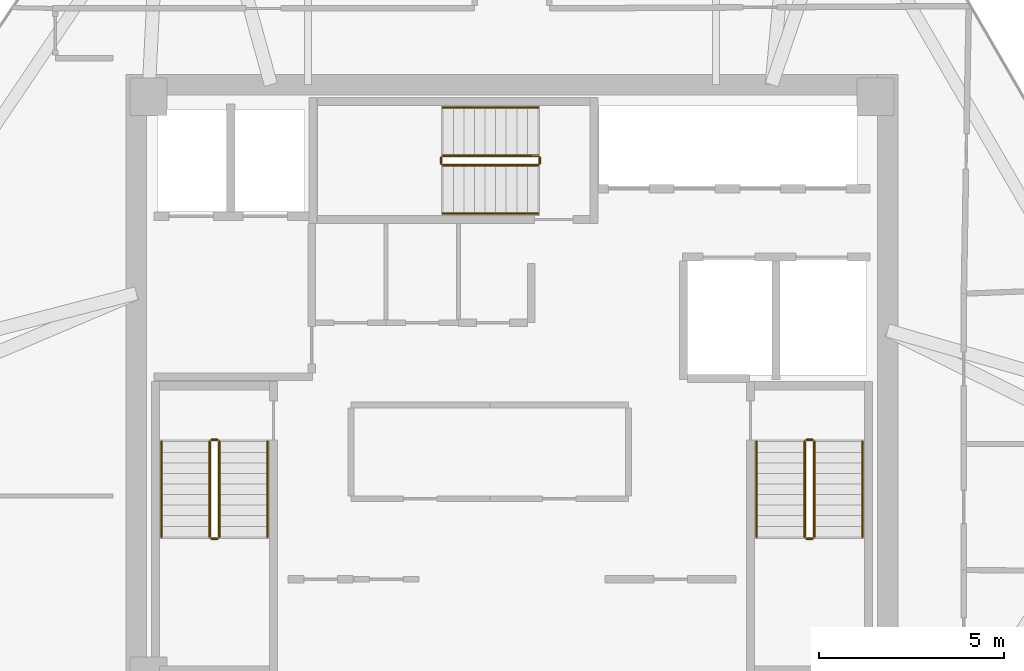
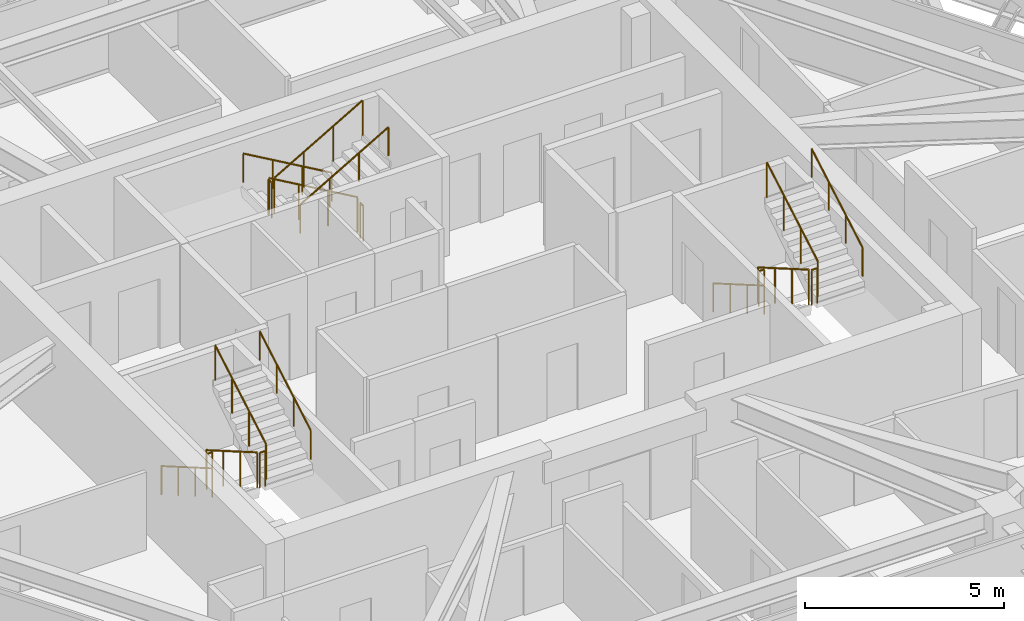
# One storey, part 11 of 11: 18 railings.
"""IFC4 building model written with IfcOpenShell, lengths in metres."""

from ifc_helpers import new_model, si_unit, direction, frame, origin, origin_2d, place, context, subcontext, project, spatial, circle, extrude, material, type_object, element, save


model = new_model("IFC4")

# Units and contexts
model_context = context("Model", 3, precision=1e-05, world=origin(), true_north=direction((0.0, 1.0)))
body_context = subcontext(model_context, "Body", "Model", "MODEL_VIEW")
ifc_project = project(units=[si_unit("LENGTHUNIT", "METRE"), si_unit("AREAUNIT", "SQUARE_METRE"), si_unit("VOLUMEUNIT", "CUBIC_METRE"), si_unit("PLANEANGLEUNIT", "RADIAN"), si_unit("MASSUNIT", "GRAM", prefix="KILO")], contexts=[model_context])

# Site, building, storey
site_placement = place(None, origin())
site = spatial("IfcSite", under=ifc_project, at=site_placement, CompositionType="ELEMENT")
building_placement = place(site_placement, origin())
building = spatial("IfcBuilding", under=site, at=building_placement, Name="Durnholm Broadcast Tower", CompositionType="ELEMENT")
storey_placement = place(building_placement, frame((0.0, 0.0, 244.699951171875)))
storey = spatial("IfcBuildingStorey", under=building, at=storey_placement, Name="L68", CompositionType="ELEMENT", Elevation=244.699951171875)

# Railings
ifc_material_1 = material(Name="Painted Tubular Steel Stair Guardrail", Category="steel")
railing_type_1 = type_object("IfcRailingType", Name="RAIL-ST-GRD", PredefinedType="GUARDRAIL", material=ifc_material_1)
railing_1_placement = place(storey_placement, frame((-8.14990234375, -1.5, 0.1650390625)))
element("IfcRailing", 1, at=railing_1_placement, inside=storey, type_object=railing_type_1, Name="L68 ST-1 stair guard 1", PredefinedType="GUARDRAIL", context=body_context, shape_type="SweptSolid", body=[
    extrude(circle(Radius=0.02392578125, at=origin_2d()), frame((0.0, 0.0, 1.076171875), z_axis=(0.0, -0.865405606168, 0.501071987656), x_axis=(1.0, 0.0, 0.0)), (0.0, 0.0, 1.0), 2.9638671875),
    extrude(circle(Radius=0.02099609375, at=origin_2d()), origin(), (0.0, 0.0, 1.0), 1.052001953125),
    extrude(circle(Radius=0.02099609375, at=origin_2d()), frame((0.0, -0.85498046875, 0.4951171875)), (0.0, 0.0, 1.0), 1.052001953125),
    extrude(circle(Radius=0.02099609375, at=origin_2d()), frame((0.0, -1.7099609375, 0.989990234375)), (0.0, 0.0, 1.0), 1.052001953125),
    extrude(circle(Radius=0.02099609375, at=origin_2d()), frame((0.0, -2.56494140625, 1.485107421875)), (0.0, 0.0, 1.0), 1.052001953125),
])
railing_2_placement = place(storey_placement, frame((-8.10009765625, -4.114990234375, 1.650146484375)))
element("IfcRailing", 2, at=railing_2_placement, inside=storey, type_object=railing_type_1, Name="L68 ST-1 stair guard 2", PredefinedType="GUARDRAIL", context=body_context, shape_type="SweptSolid", body=[
    extrude(circle(Radius=0.02392578125, at=origin_2d()), frame((0.0, 0.0, 1.076171875), z_axis=(1.0, 0.0, 0.0), x_axis=(0.0, 1.0, 0.0)), (0.0, 0.0, 1.0), 0.16015625),
    extrude(circle(Radius=0.02099609375, at=origin_2d()), origin(), (0.0, 0.0, 1.0), 1.052001953125),
    extrude(circle(Radius=0.02099609375, at=origin_2d()), frame((0.16015625, 0.0, 0.0)), (0.0, 0.0, 1.0), 1.052001953125),
])
railing_3_placement = place(storey_placement, frame((-7.889892578125, -4.06494140625, 1.81494140625)))
element("IfcRailing", 3, at=railing_3_placement, inside=storey, type_object=railing_type_1, Name="L68 ST-1 stair guard 3", PredefinedType="GUARDRAIL", context=body_context, shape_type="SweptSolid", body=[
    extrude(circle(Radius=0.02392578125, at=origin_2d()), frame((0.0, 0.0, 1.076171875), z_axis=(0.0, 0.865405606168, 0.501071987656), x_axis=(-1.0, 0.0, 0.0)), (0.0, 0.0, 1.0), 2.9638671875),
    extrude(circle(Radius=0.02099609375, at=origin_2d()), origin(), (0.0, 0.0, 1.0), 1.052001953125),
    extrude(circle(Radius=0.02099609375, at=origin_2d()), frame((0.0, 0.85498046875, 0.4951171875)), (0.0, 0.0, 1.0), 1.052001953125),
    extrude(circle(Radius=0.02099609375, at=origin_2d()), frame((0.0, 1.7099609375, 0.989990234375)), (0.0, 0.0, 1.0), 1.052001953125),
    extrude(circle(Radius=0.02099609375, at=origin_2d()), frame((0.0, 2.56494140625, 1.485107421875)), (0.0, 0.0, 1.0), 1.052001953125),
])
railing_4_placement = place(storey_placement, frame((-8.10009765625, -1.449951171875, 0.0)))
element("IfcRailing", 4, at=railing_4_placement, inside=storey, type_object=railing_type_1, Name="L68 ST-1 stair guard 4", PredefinedType="GUARDRAIL", context=body_context, shape_type="SweptSolid", body=[
    extrude(circle(Radius=0.02392578125, at=origin_2d()), frame((0.0, 0.0, 1.076171875), z_axis=(1.0, 0.0, 0.0), x_axis=(0.0, 1.0, 0.0)), (0.0, 0.0, 1.0), 0.16015625),
    extrude(circle(Radius=0.02099609375, at=origin_2d()), origin(), (0.0, 0.0, 1.0), 1.052001953125),
    extrude(circle(Radius=0.02099609375, at=origin_2d()), frame((0.16015625, 0.0, 0.0)), (0.0, 0.0, 1.0), 1.052001953125),
])
railing_5_placement = place(storey_placement, frame((7.889892578125, -1.5, 0.1650390625)))
element("IfcRailing", 5, at=railing_5_placement, inside=storey, type_object=railing_type_1, Name="L68 ST-2 stair guard 1", PredefinedType="GUARDRAIL", context=body_context, shape_type="SweptSolid", body=[
    extrude(circle(Radius=0.02392578125, at=origin_2d()), frame((0.0, 0.0, 1.076171875), z_axis=(0.0, -0.865405606168, 0.501071987656), x_axis=(1.0, 0.0, 0.0)), (0.0, 0.0, 1.0), 2.9638671875),
    extrude(circle(Radius=0.02099609375, at=origin_2d()), origin(), (0.0, 0.0, 1.0), 1.052001953125),
    extrude(circle(Radius=0.02099609375, at=origin_2d()), frame((0.0, -0.85498046875, 0.4951171875)), (0.0, 0.0, 1.0), 1.052001953125),
    extrude(circle(Radius=0.02099609375, at=origin_2d()), frame((0.0, -1.7099609375, 0.989990234375)), (0.0, 0.0, 1.0), 1.052001953125),
    extrude(circle(Radius=0.02099609375, at=origin_2d()), frame((0.0, -2.56494140625, 1.485107421875)), (0.0, 0.0, 1.0), 1.052001953125),
])
railing_6_placement = place(storey_placement, frame((7.93994140625, -4.114990234375, 1.650146484375)))
element("IfcRailing", 6, at=railing_6_placement, inside=storey, type_object=railing_type_1, Name="L68 ST-2 stair guard 2", PredefinedType="GUARDRAIL", context=body_context, shape_type="SweptSolid", body=[
    extrude(circle(Radius=0.02392578125, at=origin_2d()), frame((0.0, 0.0, 1.076171875), z_axis=(1.0, 0.0, 0.0), x_axis=(0.0, 1.0, 0.0)), (0.0, 0.0, 1.0), 0.16015625),
    extrude(circle(Radius=0.02099609375, at=origin_2d()), origin(), (0.0, 0.0, 1.0), 1.052001953125),
    extrude(circle(Radius=0.02099609375, at=origin_2d()), frame((0.16015625, 0.0, 0.0)), (0.0, 0.0, 1.0), 1.052001953125),
])
railing_7_placement = place(storey_placement, frame((8.14990234375, -4.06494140625, 1.81494140625)))
element("IfcRailing", 7, at=railing_7_placement, inside=storey, type_object=railing_type_1, Name="L68 ST-2 stair guard 3", PredefinedType="GUARDRAIL", context=body_context, shape_type="SweptSolid", body=[
    extrude(circle(Radius=0.02392578125, at=origin_2d()), frame((0.0, 0.0, 1.076171875), z_axis=(0.0, 0.865405606168, 0.501071987656), x_axis=(-1.0, 0.0, 0.0)), (0.0, 0.0, 1.0), 2.9638671875),
    extrude(circle(Radius=0.02099609375, at=origin_2d()), origin(), (0.0, 0.0, 1.0), 1.052001953125),
    extrude(circle(Radius=0.02099609375, at=origin_2d()), frame((0.0, 0.85498046875, 0.4951171875)), (0.0, 0.0, 1.0), 1.052001953125),
    extrude(circle(Radius=0.02099609375, at=origin_2d()), frame((0.0, 1.7099609375, 0.989990234375)), (0.0, 0.0, 1.0), 1.052001953125),
    extrude(circle(Radius=0.02099609375, at=origin_2d()), frame((0.0, 2.56494140625, 1.485107421875)), (0.0, 0.0, 1.0), 1.052001953125),
])
railing_8_placement = place(storey_placement, frame((7.93994140625, -1.449951171875, 0.0)))
element("IfcRailing", 8, at=railing_8_placement, inside=storey, type_object=railing_type_1, Name="L68 ST-2 stair guard 4", PredefinedType="GUARDRAIL", context=body_context, shape_type="SweptSolid", body=[
    extrude(circle(Radius=0.02392578125, at=origin_2d()), frame((0.0, 0.0, 1.076171875), z_axis=(1.0, 0.0, 0.0), x_axis=(0.0, 1.0, 0.0)), (0.0, 0.0, 1.0), 0.16015625),
    extrude(circle(Radius=0.02099609375, at=origin_2d()), origin(), (0.0, 0.0, 1.0), 1.052001953125),
    extrude(circle(Radius=0.02099609375, at=origin_2d()), frame((0.16015625, 0.0, 0.0)), (0.0, 0.0, 1.0), 1.052001953125),
])
railing_9_placement = place(storey_placement, frame((0.699951171875, 6.2099609375, 0.1650390625)))
element("IfcRailing", 9, at=railing_9_placement, inside=storey, type_object=railing_type_1, Name="L68 ST-3 stair guard 1", PredefinedType="GUARDRAIL", context=body_context, shape_type="SweptSolid", body=[
    extrude(circle(Radius=0.02392578125, at=origin_2d()), frame((0.0, 0.0, 1.076171875), z_axis=(-0.865405606168, 0.0, 0.501071987656), x_axis=(0.0, -1.0, 0.0)), (0.0, 0.0, 1.0), 2.9638671875),
    extrude(circle(Radius=0.02099609375, at=origin_2d()), origin(), (0.0, 0.0, 1.0), 1.052001953125),
    extrude(circle(Radius=0.02099609375, at=origin_2d()), frame((-0.85498046875, 0.0, 0.4951171875)), (0.0, 0.0, 1.0), 1.052001953125),
    extrude(circle(Radius=0.02099609375, at=origin_2d()), frame((-1.7099609375, 0.0, 0.989990234375)), (0.0, 0.0, 1.0), 1.052001953125),
    extrude(circle(Radius=0.02099609375, at=origin_2d()), frame((-2.56494140625, 0.0, 1.485107421875)), (0.0, 0.0, 1.0), 1.052001953125),
])
railing_10_placement = place(storey_placement, frame((-1.9150390625, 6.159912109375, 1.650146484375)))
element("IfcRailing", 10, at=railing_10_placement, inside=storey, type_object=railing_type_1, Name="L68 ST-3 stair guard 2", PredefinedType="GUARDRAIL", context=body_context, shape_type="SweptSolid", body=[
    extrude(circle(Radius=0.02392578125, at=origin_2d()), frame((0.0, 0.0, 1.076171875), z_axis=(0.0, -1.0, 0.0), x_axis=(1.0, 0.0, 0.0)), (0.0, 0.0, 1.0), 0.159912109375),
    extrude(circle(Radius=0.02099609375, at=origin_2d()), origin(), (0.0, 0.0, 1.0), 1.052001953125),
    extrude(circle(Radius=0.02099609375, at=origin_2d()), frame((0.0, -0.159912109375, 0.0)), (0.0, 0.0, 1.0), 1.052001953125),
])
railing_11_placement = place(storey_placement, frame((-1.864990234375, 5.949951171875, 1.81494140625)))
element("IfcRailing", 11, at=railing_11_placement, inside=storey, type_object=railing_type_1, Name="L68 ST-3 stair guard 3", PredefinedType="GUARDRAIL", context=body_context, shape_type="SweptSolid", body=[
    extrude(circle(Radius=0.02392578125, at=origin_2d()), frame((0.0, 0.0, 1.076171875), z_axis=(0.865405606168, 0.0, 0.501071987656), x_axis=(0.0, 1.0, 0.0)), (0.0, 0.0, 1.0), 2.9638671875),
    extrude(circle(Radius=0.02099609375, at=origin_2d()), origin(), (0.0, 0.0, 1.0), 1.052001953125),
    extrude(circle(Radius=0.02099609375, at=origin_2d()), frame((0.85498046875, 0.0, 0.4951171875)), (0.0, 0.0, 1.0), 1.052001953125),
    extrude(circle(Radius=0.02099609375, at=origin_2d()), frame((1.7099609375, 0.0, 0.989990234375)), (0.0, 0.0, 1.0), 1.052001953125),
    extrude(circle(Radius=0.02099609375, at=origin_2d()), frame((2.56494140625, 0.0, 1.485107421875)), (0.0, 0.0, 1.0), 1.052001953125),
])
railing_12_placement = place(storey_placement, frame((0.75, 6.159912109375, 0.0)))
element("IfcRailing", 12, at=railing_12_placement, inside=storey, type_object=railing_type_1, Name="L68 ST-3 stair guard 4", PredefinedType="GUARDRAIL", context=body_context, shape_type="SweptSolid", body=[
    extrude(circle(Radius=0.02392578125, at=origin_2d()), frame((0.0, 0.0, 1.076171875), z_axis=(0.0, -1.0, 0.0), x_axis=(1.0, 0.0, 0.0)), (0.0, 0.0, 1.0), 0.159912109375),
    extrude(circle(Radius=0.02099609375, at=origin_2d()), origin(), (0.0, 0.0, 1.0), 1.052001953125),
    extrude(circle(Radius=0.02099609375, at=origin_2d()), frame((0.0, -0.159912109375, 0.0)), (0.0, 0.0, 1.0), 1.052001953125),
])
ifc_material_2 = material(Name="Brushed Stainless Steel Handrail", Category="steel")
railing_type_2 = type_object("IfcRailingType", Name="RAIL-ST-HND", PredefinedType="HANDRAIL", material=ifc_material_2)
railing_13_placement = place(storey_placement, frame((-9.449951171875, -1.5, 0.330078125)))
element("IfcRailing", 13, at=railing_13_placement, inside=storey, type_object=railing_type_2, Name="L68 ST-1 stair handrail 1", PredefinedType="HANDRAIL", context=body_context, shape_type="SweptSolid", body=[
    extrude(circle(Radius=0.02392578125, at=origin_2d()), frame((0.0, 0.0, 0.8759765625), z_axis=(0.0, -0.865441324677, 0.50101029285), x_axis=(1.0, 0.0, 0.0)), (0.0, 0.0, 1.0), 2.963623046875),
    extrude(circle(Radius=0.02099609375, at=origin_2d()), origin(), (0.0, 0.0, 1.0), 0.851806640625),
    extrude(circle(Radius=0.02099609375, at=origin_2d()), frame((0.0, -0.85498046875, 0.494873046875)), (0.0, 0.0, 1.0), 0.851806640625),
    extrude(circle(Radius=0.02099609375, at=origin_2d()), frame((0.0, -1.7099609375, 0.989990234375)), (0.0, 0.0, 1.0), 0.851806640625),
    extrude(circle(Radius=0.02099609375, at=origin_2d()), frame((0.0, -2.56494140625, 1.48486328125)), (0.0, 0.0, 1.0), 0.851806640625),
])
railing_14_placement = place(storey_placement, frame((-6.590087890625, -4.06494140625, 1.97998046875)))
element("IfcRailing", 14, at=railing_14_placement, inside=storey, type_object=railing_type_2, Name="L68 ST-1 stair handrail 2", PredefinedType="HANDRAIL", context=body_context, shape_type="SweptSolid", body=[
    extrude(circle(Radius=0.02392578125, at=origin_2d()), frame((0.0, 0.0, 0.8759765625), z_axis=(0.0, 0.865405606168, 0.501071987656), x_axis=(-1.0, 0.0, 0.0)), (0.0, 0.0, 1.0), 2.9638671875),
    extrude(circle(Radius=0.02099609375, at=origin_2d()), origin(), (0.0, 0.0, 1.0), 0.851806640625),
    extrude(circle(Radius=0.02099609375, at=origin_2d()), frame((0.0, 0.85498046875, 0.4951171875)), (0.0, 0.0, 1.0), 0.851806640625),
    extrude(circle(Radius=0.02099609375, at=origin_2d()), frame((0.0, 1.7099609375, 0.989990234375)), (0.0, 0.0, 1.0), 0.851806640625),
    extrude(circle(Radius=0.02099609375, at=origin_2d()), frame((0.0, 2.56494140625, 1.485107421875)), (0.0, 0.0, 1.0), 0.851806640625),
])
railing_15_placement = place(storey_placement, frame((6.590087890625, -1.5, 0.330078125)))
element("IfcRailing", 15, at=railing_15_placement, inside=storey, type_object=railing_type_2, Name="L68 ST-2 stair handrail 1", PredefinedType="HANDRAIL", context=body_context, shape_type="SweptSolid", body=[
    extrude(circle(Radius=0.02392578125, at=origin_2d()), frame((0.0, 0.0, 0.8759765625), z_axis=(0.0, -0.865441324677, 0.50101029285), x_axis=(1.0, 0.0, 0.0)), (0.0, 0.0, 1.0), 2.963623046875),
    extrude(circle(Radius=0.02099609375, at=origin_2d()), origin(), (0.0, 0.0, 1.0), 0.851806640625),
    extrude(circle(Radius=0.02099609375, at=origin_2d()), frame((0.0, -0.85498046875, 0.494873046875)), (0.0, 0.0, 1.0), 0.851806640625),
    extrude(circle(Radius=0.02099609375, at=origin_2d()), frame((0.0, -1.7099609375, 0.989990234375)), (0.0, 0.0, 1.0), 0.851806640625),
    extrude(circle(Radius=0.02099609375, at=origin_2d()), frame((0.0, -2.56494140625, 1.48486328125)), (0.0, 0.0, 1.0), 0.851806640625),
])
railing_16_placement = place(storey_placement, frame((9.449951171875, -4.06494140625, 1.97998046875)))
element("IfcRailing", 16, at=railing_16_placement, inside=storey, type_object=railing_type_2, Name="L68 ST-2 stair handrail 2", PredefinedType="HANDRAIL", context=body_context, shape_type="SweptSolid", body=[
    extrude(circle(Radius=0.02392578125, at=origin_2d()), frame((0.0, 0.0, 0.8759765625), z_axis=(0.0, 0.865405606168, 0.501071987656), x_axis=(-1.0, 0.0, 0.0)), (0.0, 0.0, 1.0), 2.9638671875),
    extrude(circle(Radius=0.02099609375, at=origin_2d()), origin(), (0.0, 0.0, 1.0), 0.851806640625),
    extrude(circle(Radius=0.02099609375, at=origin_2d()), frame((0.0, 0.85498046875, 0.4951171875)), (0.0, 0.0, 1.0), 0.851806640625),
    extrude(circle(Radius=0.02099609375, at=origin_2d()), frame((0.0, 1.7099609375, 0.989990234375)), (0.0, 0.0, 1.0), 0.851806640625),
    extrude(circle(Radius=0.02099609375, at=origin_2d()), frame((0.0, 2.56494140625, 1.485107421875)), (0.0, 0.0, 1.0), 0.851806640625),
])
railing_17_placement = place(storey_placement, frame((0.699951171875, 7.510009765625, 0.330078125)))
element("IfcRailing", 17, at=railing_17_placement, inside=storey, type_object=railing_type_2, Name="L68 ST-3 stair handrail 1", PredefinedType="HANDRAIL", context=body_context, shape_type="SweptSolid", body=[
    extrude(circle(Radius=0.02392578125, at=origin_2d()), frame((0.0, 0.0, 0.8759765625), z_axis=(-0.865441324677, 0.0, 0.50101029285), x_axis=(0.0, -1.0, 0.0)), (0.0, 0.0, 1.0), 2.963623046875),
    extrude(circle(Radius=0.02099609375, at=origin_2d()), origin(), (0.0, 0.0, 1.0), 0.851806640625),
    extrude(circle(Radius=0.02099609375, at=origin_2d()), frame((-0.85498046875, 0.0, 0.494873046875)), (0.0, 0.0, 1.0), 0.851806640625),
    extrude(circle(Radius=0.02099609375, at=origin_2d()), frame((-1.7099609375, 0.0, 0.989990234375)), (0.0, 0.0, 1.0), 0.851806640625),
    extrude(circle(Radius=0.02099609375, at=origin_2d()), frame((-2.56494140625, 0.0, 1.48486328125)), (0.0, 0.0, 1.0), 0.851806640625),
])
railing_18_placement = place(storey_placement, frame((-1.864990234375, 4.64990234375, 1.97998046875)))
element("IfcRailing", 18, at=railing_18_placement, inside=storey, type_object=railing_type_2, Name="L68 ST-3 stair handrail 2", PredefinedType="HANDRAIL", context=body_context, shape_type="SweptSolid", body=[
    extrude(circle(Radius=0.02392578125, at=origin_2d()), frame((0.0, 0.0, 0.8759765625), z_axis=(0.865405606168, 0.0, 0.501071987656), x_axis=(0.0, 1.0, 0.0)), (0.0, 0.0, 1.0), 2.9638671875),
    extrude(circle(Radius=0.02099609375, at=origin_2d()), origin(), (0.0, 0.0, 1.0), 0.851806640625),
    extrude(circle(Radius=0.02099609375, at=origin_2d()), frame((0.85498046875, 0.0, 0.4951171875)), (0.0, 0.0, 1.0), 0.851806640625),
    extrude(circle(Radius=0.02099609375, at=origin_2d()), frame((1.7099609375, 0.0, 0.989990234375)), (0.0, 0.0, 1.0), 0.851806640625),
    extrude(circle(Radius=0.02099609375, at=origin_2d()), frame((2.56494140625, 0.0, 1.485107421875)), (0.0, 0.0, 1.0), 0.851806640625),
])

save(model, "model.ifc")
